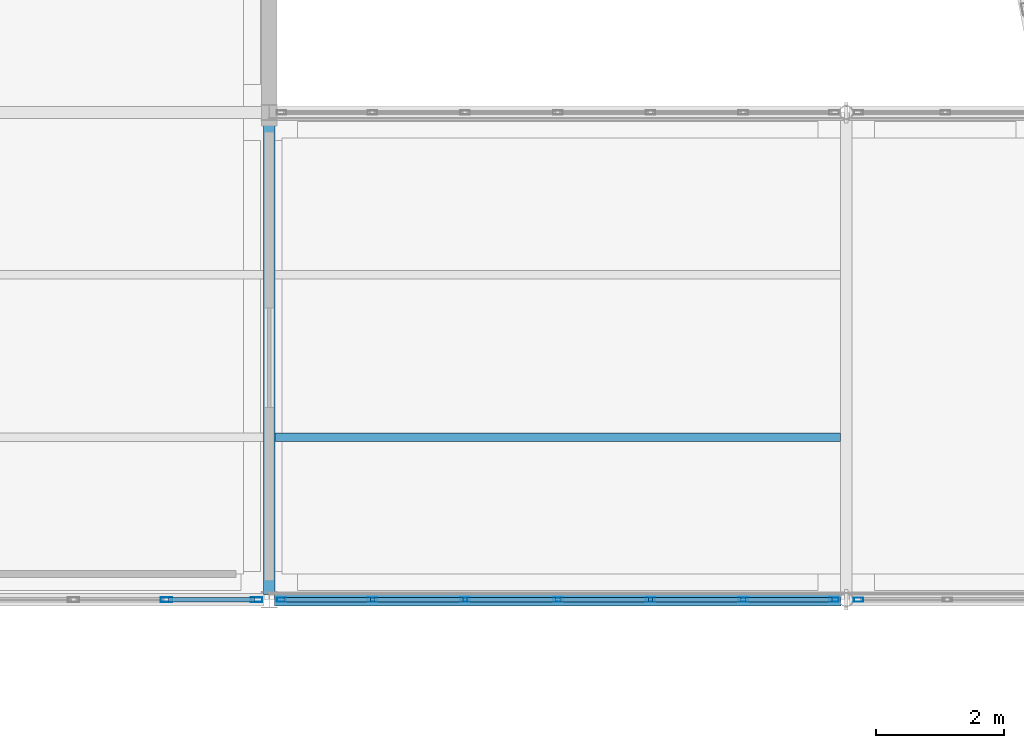
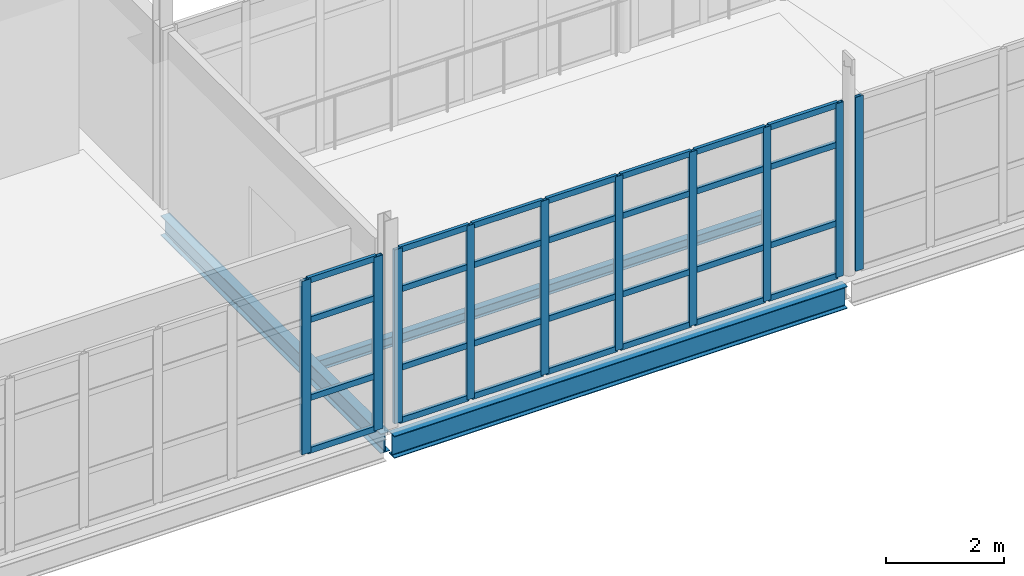
# One storey, part 89 of 166: 38 members, 3 beams, 3 elements without a shape of their own.
"""IFC4 building model written with IfcOpenShell, lengths in metres."""

from ifc_helpers import new_model, si_unit, direction, frame, origin, origin_2d, place, context, subcontext, project, spatial, hollow_rectangle, i_section, extrude, material, material_profile, profile_set, type_object, element, aggregate, save


model = new_model("IFC4")

# Units and contexts
model_context = context("Model", 3, precision=1e-05, world=origin(), true_north=direction((0.0, 1.0)))
body_context = subcontext(model_context, "Body", "Model", "MODEL_VIEW")
ifc_project = project(units=[si_unit("LENGTHUNIT", "METRE"), si_unit("AREAUNIT", "SQUARE_METRE"), si_unit("VOLUMEUNIT", "CUBIC_METRE"), si_unit("PLANEANGLEUNIT", "RADIAN"), si_unit("MASSUNIT", "GRAM", prefix="KILO")], contexts=[model_context])

# Site, building, storey
site_placement = place(None, origin())
site = spatial("IfcSite", under=ifc_project, at=site_placement, CompositionType="ELEMENT")
building_placement = place(site_placement, origin())
building = spatial("IfcBuilding", under=site, at=building_placement, Name="Caisbarro Railhouse Central Library", CompositionType="ELEMENT")
storey_placement = place(building_placement, frame((0.0, 0.0, 9.360107421875)))
storey = spatial("IfcBuildingStorey", under=building, at=storey_placement, Name="L02", CompositionType="ELEMENT", Elevation=9.360107421875)

# Beams
ifc_material_1 = material(Name="Steel ASTM A572 Grade 50", Category="steel")
ifc_material_profile_1 = material_profile(ifc_material_1, i_section(OverallWidth=0.177978515625, OverallDepth=0.406982421875, WebThickness=0.0078125, FlangeThickness=0.0126953125, FilletRadius=0.01611328125, at=origin_2d()), Name="W410X60.0")
ifc_profile_set_1 = profile_set([ifc_material_profile_1], Name="Steel ASTM A572 Grade 50")
beam_type_1 = type_object("IfcBeamType", Name="BM-G10", PredefinedType="BEAM", material=ifc_profile_set_1)
beam_1_placement = place(storey_placement, frame((99.0, 83.679931640625, -0.403564453125), z_axis=(0.0, 1.0, 0.0), x_axis=(-1.0, 0.0, 0.0)))
element("IfcBeam", 1, at=beam_1_placement, inside=storey, type_object=beam_type_1, Name="G10 beam L02 #1687", PredefinedType="BEAM", context=body_context, shape_type="SweptSolid", body=[
    extrude(i_section(OverallWidth=0.177978515625, OverallDepth=0.406982421875, WebThickness=0.0078125, FlangeThickness=0.0126953125, FilletRadius=0.01611328125, at=origin_2d()), origin(), (0.0, 0.0, 1.0), 7.440185546875),
])
ifc_material_profile_2 = material_profile(ifc_material_1, i_section(OverallWidth=0.133056640625, OverallDepth=0.20703125, WebThickness=0.005859375, FlangeThickness=0.00830078125, FilletRadius=0.010009765625, at=origin_2d()), Name="W200X26.6")
ifc_profile_set_2 = profile_set([ifc_material_profile_2], Name="Steel ASTM A572 Grade 50")
beam_type_2 = type_object("IfcBeamType", Name="BM-J07", PredefinedType="JOIST", material=ifc_profile_set_2)
beam_2_placement = place(storey_placement, frame((99.089111328125, 86.13330078125, -0.3037109375), z_axis=(1.0, 0.0, 0.0), x_axis=(0.0, 1.0, 0.0)))
element("IfcBeam", 2, at=beam_2_placement, inside=storey, type_object=beam_type_2, Name="J07 beam L02 #1735", PredefinedType="JOIST", context=body_context, shape_type="SweptSolid", body=[
    extrude(i_section(OverallWidth=0.133056640625, OverallDepth=0.20703125, WebThickness=0.005859375, FlangeThickness=0.00830078125, FilletRadius=0.010009765625, at=origin_2d()), origin(), (0.0, 0.0, 1.0), 8.82177734375),
])
ifc_material_profile_3 = material_profile(ifc_material_1, i_section(OverallWidth=0.18994140625, OverallDepth=0.45703125, WebThickness=0.009033203125, FlangeThickness=0.014404296875, FilletRadius=0.01806640625, at=origin_2d()), Name="W460X74.0")
ifc_profile_set_3 = profile_set([ifc_material_profile_3], Name="Steel ASTM A572 Grade 50")
beam_type_3 = type_object("IfcBeamType", Name="BM-SP01", PredefinedType="SPANDREL", material=ifc_profile_set_3)
beam_3_placement = place(storey_placement, frame((99.080078125, 83.60009765625, -0.4287109375), z_axis=(1.0, 0.0, 0.0), x_axis=(0.0, 1.0, 0.0)))
element("IfcBeam", 3, at=beam_3_placement, inside=storey, type_object=beam_type_3, Name="SP01 beam L02 #1732", PredefinedType="SPANDREL", context=body_context, shape_type="SweptSolid", body=[
    extrude(i_section(OverallWidth=0.18994140625, OverallDepth=0.45703125, WebThickness=0.009033203125, FlangeThickness=0.014404296875, FilletRadius=0.01806640625, at=origin_2d()), origin(), (0.0, 0.0, 1.0), 8.83984375),
])

# Curtain wall, members
ifc_material_2 = material(Name="Anodised architectural aluminium", Category="aluminium")
curtain_wall_type_1 = type_object("IfcCurtainWallType", Name="CW-CW02", PredefinedType="NOTDEFINED", material=ifc_material_2)
curtain_wall_1_placement = place(storey_placement, origin())
curtain_wall_1 = element("IfcCurtainWall", 4, at=curtain_wall_1_placement, inside=storey, type_object=curtain_wall_type_1, Name="CW02 curtain wall L02 #185", PredefinedType="NOTDEFINED")
ifc_material_profile_4 = material_profile(ifc_material_2, hollow_rectangle(XDim=0.074951171875, YDim=0.179931640625, WallThickness=0.00439453125, at=origin_2d()), Name="ALU-MUL-75X180")
ifc_profile_set_4 = profile_set([ifc_material_profile_4], Name="Anodised architectural aluminium")
member_type_1 = type_object("IfcMemberType", Name="CWM-M01", PredefinedType="MULLION", material=ifc_profile_set_4)
member_1_placement = place(storey_placement, frame((97.393310546875, 83.60009765625, 0.0), z_axis=(0.0, 0.0, 1.0), x_axis=(0.0, 1.0, 0.0)))
member_1 = element("IfcMember", 5, at=member_1_placement, type_object=member_type_1, Name="CW02 mullion 6", PredefinedType="MULLION", context=body_context, shape_type="SweptSolid", body=[
    extrude(hollow_rectangle(XDim=0.074951171875, YDim=0.179931640625, WallThickness=0.00439453125, at=origin_2d()), origin(), (0.0, 0.0, 1.0), 3.579833984375),
])
member_2_placement = place(storey_placement, frame((98.802490234375, 83.60009765625, 0.0), z_axis=(0.0, 0.0, 1.0), x_axis=(0.0, 1.0, 0.0)))
member_2 = element("IfcMember", 6, at=member_2_placement, type_object=member_type_1, Name="CW02 mullion 7", PredefinedType="MULLION", context=body_context, shape_type="SweptSolid", body=[
    extrude(hollow_rectangle(XDim=0.074951171875, YDim=0.179931640625, WallThickness=0.00439453125, at=origin_2d()), origin(), (0.0, 0.0, 1.0), 3.579833984375),
])

curtain_wall_type_2 = type_object("IfcCurtainWallType", Name="CW-CW03", PredefinedType="NOTDEFINED", material=ifc_material_2)
curtain_wall_2_placement = place(storey_placement, origin())
curtain_wall_2 = element("IfcCurtainWall", 7, at=curtain_wall_2_placement, inside=storey, type_object=curtain_wall_type_2, Name="CW03 curtain wall L02 #208", PredefinedType="NOTDEFINED")
ifc_material_profile_5 = material_profile(ifc_material_2, hollow_rectangle(XDim=0.06494140625, YDim=0.14990234375, WallThickness=0.00390625, at=origin_2d()), Name="ALU-MUL-65X150")
ifc_profile_set_5 = profile_set([ifc_material_profile_5], Name="Anodised architectural aluminium")
member_type_2 = type_object("IfcMemberType", Name="CWM-M02", PredefinedType="MULLION", material=ifc_profile_set_5)
member_3_placement = place(storey_placement, frame((99.1923828125, 83.60009765625, 0.0), z_axis=(0.0, 0.0, 1.0), x_axis=(0.0, 1.0, 0.0)))
member_3 = element("IfcMember", 8, at=member_3_placement, type_object=member_type_2, Name="CW03 mullion 1", PredefinedType="MULLION", context=body_context, shape_type="SweptSolid", body=[
    extrude(hollow_rectangle(XDim=0.06494140625, YDim=0.14990234375, WallThickness=0.00390625, at=origin_2d()), origin(), (0.0, 0.0, 1.0), 3.58984375),
])
member_4_placement = place(storey_placement, frame((100.606689453125, 83.60009765625, 0.0), z_axis=(0.0, 0.0, 1.0), x_axis=(0.0, 1.0, 0.0)))
member_4 = element("IfcMember", 9, at=member_4_placement, type_object=member_type_2, Name="CW03 mullion 2", PredefinedType="MULLION", context=body_context, shape_type="SweptSolid", body=[
    extrude(hollow_rectangle(XDim=0.06494140625, YDim=0.14990234375, WallThickness=0.00390625, at=origin_2d()), origin(), (0.0, 0.0, 1.0), 3.58984375),
])
member_5_placement = place(storey_placement, frame((102.05322265625, 83.60009765625, 0.0), z_axis=(0.0, 0.0, 1.0), x_axis=(0.0, 1.0, 0.0)))
member_5 = element("IfcMember", 10, at=member_5_placement, type_object=member_type_2, Name="CW03 mullion 3", PredefinedType="MULLION", context=body_context, shape_type="SweptSolid", body=[
    extrude(hollow_rectangle(XDim=0.06494140625, YDim=0.14990234375, WallThickness=0.00390625, at=origin_2d()), origin(), (0.0, 0.0, 1.0), 3.58984375),
])
member_6_placement = place(storey_placement, frame((103.5, 83.60009765625, 0.0), z_axis=(0.0, 0.0, 1.0), x_axis=(0.0, 1.0, 0.0)))
member_6 = element("IfcMember", 11, at=member_6_placement, type_object=member_type_2, Name="CW03 mullion 4", PredefinedType="MULLION", context=body_context, shape_type="SweptSolid", body=[
    extrude(hollow_rectangle(XDim=0.06494140625, YDim=0.14990234375, WallThickness=0.00390625, at=origin_2d()), origin(), (0.0, 0.0, 1.0), 3.58984375),
])
member_7_placement = place(storey_placement, frame((104.94677734375, 83.60009765625, 0.0), z_axis=(0.0, 0.0, 1.0), x_axis=(0.0, 1.0, 0.0)))
member_7 = element("IfcMember", 12, at=member_7_placement, type_object=member_type_2, Name="CW03 mullion 5", PredefinedType="MULLION", context=body_context, shape_type="SweptSolid", body=[
    extrude(hollow_rectangle(XDim=0.06494140625, YDim=0.14990234375, WallThickness=0.00390625, at=origin_2d()), origin(), (0.0, 0.0, 1.0), 3.58984375),
])
member_8_placement = place(storey_placement, frame((106.393310546875, 83.60009765625, 0.0), z_axis=(0.0, 0.0, 1.0), x_axis=(0.0, 1.0, 0.0)))
member_8 = element("IfcMember", 13, at=member_8_placement, type_object=member_type_2, Name="CW03 mullion 6", PredefinedType="MULLION", context=body_context, shape_type="SweptSolid", body=[
    extrude(hollow_rectangle(XDim=0.06494140625, YDim=0.14990234375, WallThickness=0.00390625, at=origin_2d()), origin(), (0.0, 0.0, 1.0), 3.58984375),
])
member_9_placement = place(storey_placement, frame((107.8076171875, 83.60009765625, 0.0), z_axis=(0.0, 0.0, 1.0), x_axis=(0.0, 1.0, 0.0)))
member_9 = element("IfcMember", 14, at=member_9_placement, type_object=member_type_2, Name="CW03 mullion 7", PredefinedType="MULLION", context=body_context, shape_type="SweptSolid", body=[
    extrude(hollow_rectangle(XDim=0.06494140625, YDim=0.14990234375, WallThickness=0.00390625, at=origin_2d()), origin(), (0.0, 0.0, 1.0), 3.58984375),
])

# Curtain wall, member
curtain_wall_3_placement = place(storey_placement, origin())
curtain_wall_3 = element("IfcCurtainWall", 15, at=curtain_wall_3_placement, inside=storey, type_object=curtain_wall_type_2, Name="CW03 curtain wall L02 #209", PredefinedType="NOTDEFINED")
member_10_placement = place(storey_placement, frame((108.1923828125, 83.60009765625, 0.0), z_axis=(0.0, 0.0, 1.0), x_axis=(0.0, 1.0, 0.0)))
member_10 = element("IfcMember", 16, at=member_10_placement, type_object=member_type_2, Name="CW03 mullion 1", PredefinedType="MULLION", context=body_context, shape_type="SweptSolid", body=[
    extrude(hollow_rectangle(XDim=0.06494140625, YDim=0.14990234375, WallThickness=0.00390625, at=origin_2d()), origin(), (0.0, 0.0, 1.0), 3.58984375),
])
aggregate(curtain_wall_3, [member_10])

# Member
ifc_material_profile_6 = material_profile(ifc_material_2, hollow_rectangle(XDim=0.06494140625, YDim=0.1201171875, WallThickness=0.00341796875, at=origin_2d()), Name="ALU-TRN-65X120")
ifc_profile_set_6 = profile_set([ifc_material_profile_6], Name="Anodised architectural aluminium")
member_type_3 = type_object("IfcMemberType", Name="CWT-T02", PredefinedType="USERDEFINED", material=ifc_profile_set_6)
member_11_placement = place(storey_placement, frame((97.430908203125, 83.60009765625, 0.032470703125), z_axis=(1.0, 0.0, 0.0), x_axis=(0.0, 1.0, 0.0)))
member_11 = element("IfcMember", 17, at=member_11_placement, type_object=member_type_3, Name="CW02 transom 6.1", ObjectType="TRANSOM", PredefinedType="USERDEFINED", context=body_context, shape_type="SweptSolid", body=[
    extrude(hollow_rectangle(XDim=0.06494140625, YDim=0.1201171875, WallThickness=0.00341796875, at=origin_2d()), origin(), (0.0, 0.0, 1.0), 1.333984375),
])

member_12_placement = place(storey_placement, frame((97.430908203125, 83.60009765625, 1.119873046875), z_axis=(1.0, 0.0, 0.0), x_axis=(0.0, 1.0, 0.0)))
member_12 = element("IfcMember", 18, at=member_12_placement, type_object=member_type_3, Name="CW02 transom 6.2", ObjectType="TRANSOM", PredefinedType="USERDEFINED", context=body_context, shape_type="SweptSolid", body=[
    extrude(hollow_rectangle(XDim=0.06494140625, YDim=0.1201171875, WallThickness=0.00341796875, at=origin_2d()), origin(), (0.0, 0.0, 1.0), 1.333984375),
])

member_13_placement = place(storey_placement, frame((97.430908203125, 83.60009765625, 2.72998046875), z_axis=(1.0, 0.0, 0.0), x_axis=(0.0, 1.0, 0.0)))
member_13 = element("IfcMember", 19, at=member_13_placement, type_object=member_type_3, Name="CW02 transom 6.3", ObjectType="TRANSOM", PredefinedType="USERDEFINED", context=body_context, shape_type="SweptSolid", body=[
    extrude(hollow_rectangle(XDim=0.06494140625, YDim=0.1201171875, WallThickness=0.00341796875, at=origin_2d()), origin(), (0.0, 0.0, 1.0), 1.333984375),
])

member_14_placement = place(storey_placement, frame((97.430908203125, 83.60009765625, 3.54736328125), z_axis=(1.0, 0.0, 0.0), x_axis=(0.0, 1.0, 0.0)))
member_14 = element("IfcMember", 20, at=member_14_placement, type_object=member_type_3, Name="CW02 transom 6.4", ObjectType="TRANSOM", PredefinedType="USERDEFINED", context=body_context, shape_type="SweptSolid", body=[
    extrude(hollow_rectangle(XDim=0.06494140625, YDim=0.1201171875, WallThickness=0.00341796875, at=origin_2d()), origin(), (0.0, 0.0, 1.0), 1.333984375),
])

aggregate(curtain_wall_1, [member_1, member_2, member_11, member_12, member_13, member_14])

member_15_placement = place(storey_placement, frame((99.22509765625, 83.60009765625, 0.032470703125), z_axis=(1.0, 0.0, 0.0), x_axis=(0.0, 1.0, 0.0)))
member_15 = element("IfcMember", 21, at=member_15_placement, type_object=member_type_3, Name="CW03 transom 1.1", ObjectType="TRANSOM", PredefinedType="USERDEFINED", context=body_context, shape_type="SweptSolid", body=[
    extrude(hollow_rectangle(XDim=0.06494140625, YDim=0.1201171875, WallThickness=0.00341796875, at=origin_2d()), origin(), (0.0, 0.0, 1.0), 1.34912109375),
])

member_16_placement = place(storey_placement, frame((99.22509765625, 83.60009765625, 1.119873046875), z_axis=(1.0, 0.0, 0.0), x_axis=(0.0, 1.0, 0.0)))
member_16 = element("IfcMember", 22, at=member_16_placement, type_object=member_type_3, Name="CW03 transom 1.2", ObjectType="TRANSOM", PredefinedType="USERDEFINED", context=body_context, shape_type="SweptSolid", body=[
    extrude(hollow_rectangle(XDim=0.06494140625, YDim=0.1201171875, WallThickness=0.00341796875, at=origin_2d()), origin(), (0.0, 0.0, 1.0), 1.34912109375),
])

member_17_placement = place(storey_placement, frame((99.22509765625, 83.60009765625, 2.739990234375), z_axis=(1.0, 0.0, 0.0), x_axis=(0.0, 1.0, 0.0)))
member_17 = element("IfcMember", 23, at=member_17_placement, type_object=member_type_3, Name="CW03 transom 1.3", ObjectType="TRANSOM", PredefinedType="USERDEFINED", context=body_context, shape_type="SweptSolid", body=[
    extrude(hollow_rectangle(XDim=0.06494140625, YDim=0.1201171875, WallThickness=0.00341796875, at=origin_2d()), origin(), (0.0, 0.0, 1.0), 1.34912109375),
])

member_18_placement = place(storey_placement, frame((99.22509765625, 83.60009765625, 3.557373046875), z_axis=(1.0, 0.0, 0.0), x_axis=(0.0, 1.0, 0.0)))
member_18 = element("IfcMember", 24, at=member_18_placement, type_object=member_type_3, Name="CW03 transom 1.4", ObjectType="TRANSOM", PredefinedType="USERDEFINED", context=body_context, shape_type="SweptSolid", body=[
    extrude(hollow_rectangle(XDim=0.06494140625, YDim=0.1201171875, WallThickness=0.00341796875, at=origin_2d()), origin(), (0.0, 0.0, 1.0), 1.34912109375),
])

member_19_placement = place(storey_placement, frame((100.63916015625, 83.60009765625, 0.032470703125), z_axis=(1.0, 0.0, 0.0), x_axis=(0.0, 1.0, 0.0)))
member_19 = element("IfcMember", 25, at=member_19_placement, type_object=member_type_3, Name="CW03 transom 2.1", ObjectType="TRANSOM", PredefinedType="USERDEFINED", context=body_context, shape_type="SweptSolid", body=[
    extrude(hollow_rectangle(XDim=0.06494140625, YDim=0.1201171875, WallThickness=0.00341796875, at=origin_2d()), origin(), (0.0, 0.0, 1.0), 1.381591796875),
])

member_20_placement = place(storey_placement, frame((100.63916015625, 83.60009765625, 1.119873046875), z_axis=(1.0, 0.0, 0.0), x_axis=(0.0, 1.0, 0.0)))
member_20 = element("IfcMember", 26, at=member_20_placement, type_object=member_type_3, Name="CW03 transom 2.2", ObjectType="TRANSOM", PredefinedType="USERDEFINED", context=body_context, shape_type="SweptSolid", body=[
    extrude(hollow_rectangle(XDim=0.06494140625, YDim=0.1201171875, WallThickness=0.00341796875, at=origin_2d()), origin(), (0.0, 0.0, 1.0), 1.381591796875),
])

member_21_placement = place(storey_placement, frame((100.63916015625, 83.60009765625, 2.739990234375), z_axis=(1.0, 0.0, 0.0), x_axis=(0.0, 1.0, 0.0)))
member_21 = element("IfcMember", 27, at=member_21_placement, type_object=member_type_3, Name="CW03 transom 2.3", ObjectType="TRANSOM", PredefinedType="USERDEFINED", context=body_context, shape_type="SweptSolid", body=[
    extrude(hollow_rectangle(XDim=0.06494140625, YDim=0.1201171875, WallThickness=0.00341796875, at=origin_2d()), origin(), (0.0, 0.0, 1.0), 1.381591796875),
])

member_22_placement = place(storey_placement, frame((100.63916015625, 83.60009765625, 3.557373046875), z_axis=(1.0, 0.0, 0.0), x_axis=(0.0, 1.0, 0.0)))
member_22 = element("IfcMember", 28, at=member_22_placement, type_object=member_type_3, Name="CW03 transom 2.4", ObjectType="TRANSOM", PredefinedType="USERDEFINED", context=body_context, shape_type="SweptSolid", body=[
    extrude(hollow_rectangle(XDim=0.06494140625, YDim=0.1201171875, WallThickness=0.00341796875, at=origin_2d()), origin(), (0.0, 0.0, 1.0), 1.381591796875),
])

member_23_placement = place(storey_placement, frame((102.0859375, 83.60009765625, 0.032470703125), z_axis=(1.0, 0.0, 0.0), x_axis=(0.0, 1.0, 0.0)))
member_23 = element("IfcMember", 29, at=member_23_placement, type_object=member_type_3, Name="CW03 transom 3.1", ObjectType="TRANSOM", PredefinedType="USERDEFINED", context=body_context, shape_type="SweptSolid", body=[
    extrude(hollow_rectangle(XDim=0.06494140625, YDim=0.1201171875, WallThickness=0.00341796875, at=origin_2d()), origin(), (0.0, 0.0, 1.0), 1.381591796875),
])

member_24_placement = place(storey_placement, frame((102.0859375, 83.60009765625, 1.119873046875), z_axis=(1.0, 0.0, 0.0), x_axis=(0.0, 1.0, 0.0)))
member_24 = element("IfcMember", 30, at=member_24_placement, type_object=member_type_3, Name="CW03 transom 3.2", ObjectType="TRANSOM", PredefinedType="USERDEFINED", context=body_context, shape_type="SweptSolid", body=[
    extrude(hollow_rectangle(XDim=0.06494140625, YDim=0.1201171875, WallThickness=0.00341796875, at=origin_2d()), origin(), (0.0, 0.0, 1.0), 1.381591796875),
])

member_25_placement = place(storey_placement, frame((102.0859375, 83.60009765625, 2.739990234375), z_axis=(1.0, 0.0, 0.0), x_axis=(0.0, 1.0, 0.0)))
member_25 = element("IfcMember", 31, at=member_25_placement, type_object=member_type_3, Name="CW03 transom 3.3", ObjectType="TRANSOM", PredefinedType="USERDEFINED", context=body_context, shape_type="SweptSolid", body=[
    extrude(hollow_rectangle(XDim=0.06494140625, YDim=0.1201171875, WallThickness=0.00341796875, at=origin_2d()), origin(), (0.0, 0.0, 1.0), 1.381591796875),
])

member_26_placement = place(storey_placement, frame((102.0859375, 83.60009765625, 3.557373046875), z_axis=(1.0, 0.0, 0.0), x_axis=(0.0, 1.0, 0.0)))
member_26 = element("IfcMember", 32, at=member_26_placement, type_object=member_type_3, Name="CW03 transom 3.4", ObjectType="TRANSOM", PredefinedType="USERDEFINED", context=body_context, shape_type="SweptSolid", body=[
    extrude(hollow_rectangle(XDim=0.06494140625, YDim=0.1201171875, WallThickness=0.00341796875, at=origin_2d()), origin(), (0.0, 0.0, 1.0), 1.381591796875),
])

member_27_placement = place(storey_placement, frame((103.532470703125, 83.60009765625, 0.032470703125), z_axis=(1.0, 0.0, 0.0), x_axis=(0.0, 1.0, 0.0)))
member_27 = element("IfcMember", 33, at=member_27_placement, type_object=member_type_3, Name="CW03 transom 4.1", ObjectType="TRANSOM", PredefinedType="USERDEFINED", context=body_context, shape_type="SweptSolid", body=[
    extrude(hollow_rectangle(XDim=0.06494140625, YDim=0.1201171875, WallThickness=0.00341796875, at=origin_2d()), origin(), (0.0, 0.0, 1.0), 1.381591796875),
])

member_28_placement = place(storey_placement, frame((103.532470703125, 83.60009765625, 1.119873046875), z_axis=(1.0, 0.0, 0.0), x_axis=(0.0, 1.0, 0.0)))
member_28 = element("IfcMember", 34, at=member_28_placement, type_object=member_type_3, Name="CW03 transom 4.2", ObjectType="TRANSOM", PredefinedType="USERDEFINED", context=body_context, shape_type="SweptSolid", body=[
    extrude(hollow_rectangle(XDim=0.06494140625, YDim=0.1201171875, WallThickness=0.00341796875, at=origin_2d()), origin(), (0.0, 0.0, 1.0), 1.381591796875),
])

member_29_placement = place(storey_placement, frame((103.532470703125, 83.60009765625, 2.739990234375), z_axis=(1.0, 0.0, 0.0), x_axis=(0.0, 1.0, 0.0)))
member_29 = element("IfcMember", 35, at=member_29_placement, type_object=member_type_3, Name="CW03 transom 4.3", ObjectType="TRANSOM", PredefinedType="USERDEFINED", context=body_context, shape_type="SweptSolid", body=[
    extrude(hollow_rectangle(XDim=0.06494140625, YDim=0.1201171875, WallThickness=0.00341796875, at=origin_2d()), origin(), (0.0, 0.0, 1.0), 1.381591796875),
])

member_30_placement = place(storey_placement, frame((103.532470703125, 83.60009765625, 3.557373046875), z_axis=(1.0, 0.0, 0.0), x_axis=(0.0, 1.0, 0.0)))
member_30 = element("IfcMember", 36, at=member_30_placement, type_object=member_type_3, Name="CW03 transom 4.4", ObjectType="TRANSOM", PredefinedType="USERDEFINED", context=body_context, shape_type="SweptSolid", body=[
    extrude(hollow_rectangle(XDim=0.06494140625, YDim=0.1201171875, WallThickness=0.00341796875, at=origin_2d()), origin(), (0.0, 0.0, 1.0), 1.381591796875),
])

member_31_placement = place(storey_placement, frame((104.979248046875, 83.60009765625, 0.032470703125), z_axis=(1.0, 0.0, 0.0), x_axis=(0.0, 1.0, 0.0)))
member_31 = element("IfcMember", 37, at=member_31_placement, type_object=member_type_3, Name="CW03 transom 5.1", ObjectType="TRANSOM", PredefinedType="USERDEFINED", context=body_context, shape_type="SweptSolid", body=[
    extrude(hollow_rectangle(XDim=0.06494140625, YDim=0.1201171875, WallThickness=0.00341796875, at=origin_2d()), origin(), (0.0, 0.0, 1.0), 1.381591796875),
])

member_32_placement = place(storey_placement, frame((104.979248046875, 83.60009765625, 1.119873046875), z_axis=(1.0, 0.0, 0.0), x_axis=(0.0, 1.0, 0.0)))
member_32 = element("IfcMember", 38, at=member_32_placement, type_object=member_type_3, Name="CW03 transom 5.2", ObjectType="TRANSOM", PredefinedType="USERDEFINED", context=body_context, shape_type="SweptSolid", body=[
    extrude(hollow_rectangle(XDim=0.06494140625, YDim=0.1201171875, WallThickness=0.00341796875, at=origin_2d()), origin(), (0.0, 0.0, 1.0), 1.381591796875),
])

member_33_placement = place(storey_placement, frame((104.979248046875, 83.60009765625, 2.739990234375), z_axis=(1.0, 0.0, 0.0), x_axis=(0.0, 1.0, 0.0)))
member_33 = element("IfcMember", 39, at=member_33_placement, type_object=member_type_3, Name="CW03 transom 5.3", ObjectType="TRANSOM", PredefinedType="USERDEFINED", context=body_context, shape_type="SweptSolid", body=[
    extrude(hollow_rectangle(XDim=0.06494140625, YDim=0.1201171875, WallThickness=0.00341796875, at=origin_2d()), origin(), (0.0, 0.0, 1.0), 1.381591796875),
])

member_34_placement = place(storey_placement, frame((104.979248046875, 83.60009765625, 3.557373046875), z_axis=(1.0, 0.0, 0.0), x_axis=(0.0, 1.0, 0.0)))
member_34 = element("IfcMember", 40, at=member_34_placement, type_object=member_type_3, Name="CW03 transom 5.4", ObjectType="TRANSOM", PredefinedType="USERDEFINED", context=body_context, shape_type="SweptSolid", body=[
    extrude(hollow_rectangle(XDim=0.06494140625, YDim=0.1201171875, WallThickness=0.00341796875, at=origin_2d()), origin(), (0.0, 0.0, 1.0), 1.381591796875),
])

member_35_placement = place(storey_placement, frame((106.42578125, 83.60009765625, 0.032470703125), z_axis=(1.0, 0.0, 0.0), x_axis=(0.0, 1.0, 0.0)))
member_35 = element("IfcMember", 41, at=member_35_placement, type_object=member_type_3, Name="CW03 transom 6.1", ObjectType="TRANSOM", PredefinedType="USERDEFINED", context=body_context, shape_type="SweptSolid", body=[
    extrude(hollow_rectangle(XDim=0.06494140625, YDim=0.1201171875, WallThickness=0.00341796875, at=origin_2d()), origin(), (0.0, 0.0, 1.0), 1.34912109375),
])

member_36_placement = place(storey_placement, frame((106.42578125, 83.60009765625, 1.119873046875), z_axis=(1.0, 0.0, 0.0), x_axis=(0.0, 1.0, 0.0)))
member_36 = element("IfcMember", 42, at=member_36_placement, type_object=member_type_3, Name="CW03 transom 6.2", ObjectType="TRANSOM", PredefinedType="USERDEFINED", context=body_context, shape_type="SweptSolid", body=[
    extrude(hollow_rectangle(XDim=0.06494140625, YDim=0.1201171875, WallThickness=0.00341796875, at=origin_2d()), origin(), (0.0, 0.0, 1.0), 1.34912109375),
])

member_37_placement = place(storey_placement, frame((106.42578125, 83.60009765625, 2.739990234375), z_axis=(1.0, 0.0, 0.0), x_axis=(0.0, 1.0, 0.0)))
member_37 = element("IfcMember", 43, at=member_37_placement, type_object=member_type_3, Name="CW03 transom 6.3", ObjectType="TRANSOM", PredefinedType="USERDEFINED", context=body_context, shape_type="SweptSolid", body=[
    extrude(hollow_rectangle(XDim=0.06494140625, YDim=0.1201171875, WallThickness=0.00341796875, at=origin_2d()), origin(), (0.0, 0.0, 1.0), 1.34912109375),
])

member_38_placement = place(storey_placement, frame((106.42578125, 83.60009765625, 3.557373046875), z_axis=(1.0, 0.0, 0.0), x_axis=(0.0, 1.0, 0.0)))
member_38 = element("IfcMember", 44, at=member_38_placement, type_object=member_type_3, Name="CW03 transom 6.4", ObjectType="TRANSOM", PredefinedType="USERDEFINED", context=body_context, shape_type="SweptSolid", body=[
    extrude(hollow_rectangle(XDim=0.06494140625, YDim=0.1201171875, WallThickness=0.00341796875, at=origin_2d()), origin(), (0.0, 0.0, 1.0), 1.34912109375),
])

aggregate(curtain_wall_2, [member_3, member_4, member_5, member_6, member_7, member_8, member_9, member_15, member_16, member_17, member_18, member_19, member_20, member_21, member_22, member_23, member_24, member_25, member_26, member_27, member_28, member_29, member_30, member_31, member_32, member_33, member_34, member_35, member_36, member_37, member_38])

save(model, "model.ifc")
